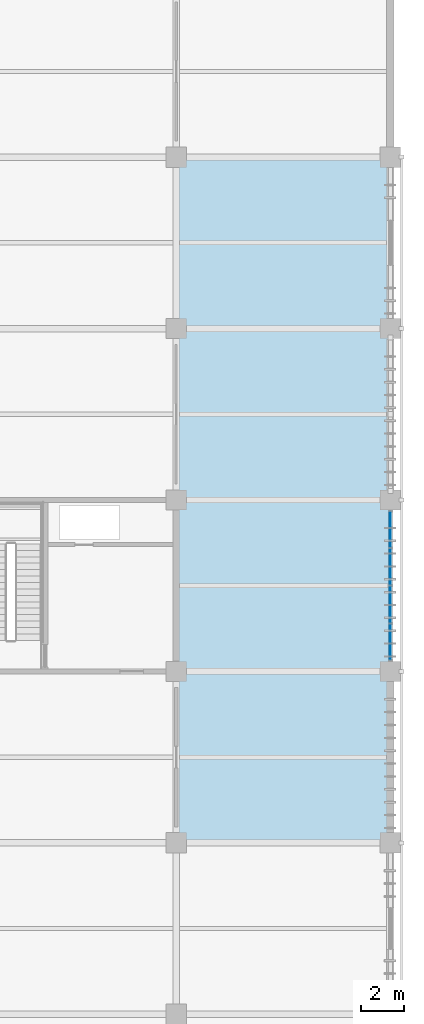
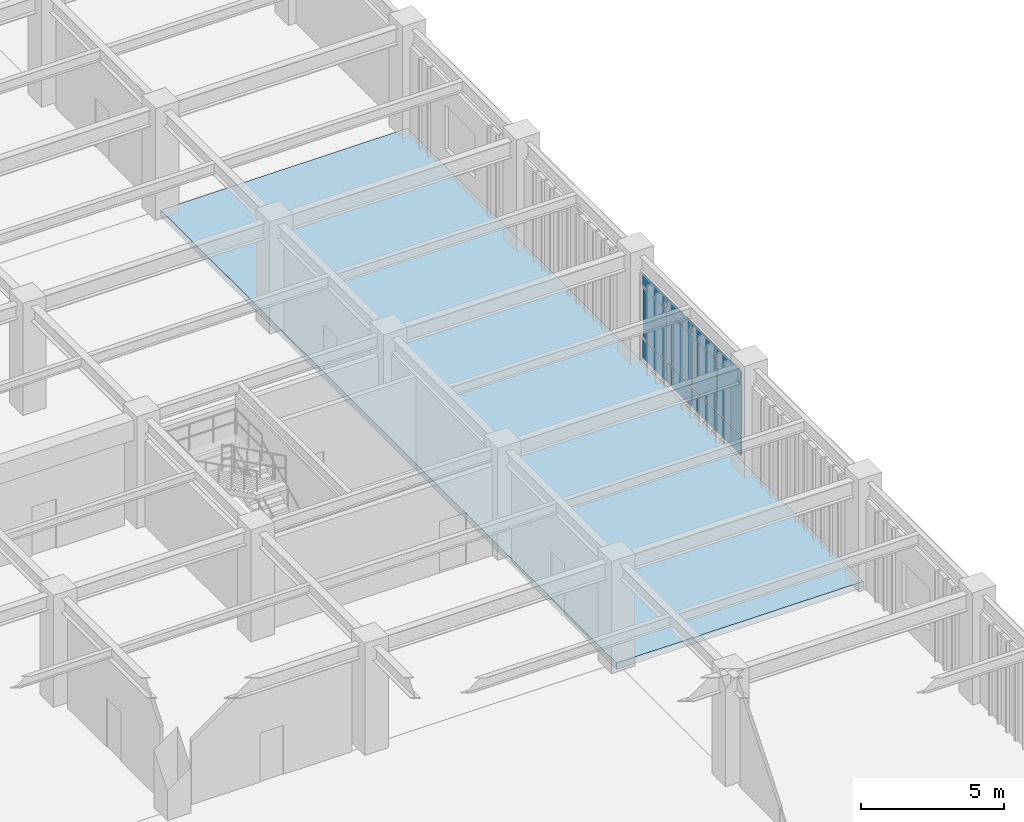
# One storey, part 62 of 109: 12 plates, 1 slab, 1 element without a shape of its own.
"""IFC4 building model written with IfcOpenShell, lengths in metres."""

from ifc_helpers import new_model, si_unit, direction, frame, origin, origin_2d, place, context, subcontext, project, spatial, polyline, rectangle, outline, extrude, material, layer, layer_set, type_object, element, aggregate, save


model = new_model("IFC4")

# Units and contexts
model_context = context("Model", 3, precision=1e-05, world=origin(), true_north=direction((0.0, 1.0)))
body_context = subcontext(model_context, "Body", "Model", "MODEL_VIEW")
ifc_project = project(units=[si_unit("LENGTHUNIT", "METRE"), si_unit("AREAUNIT", "SQUARE_METRE"), si_unit("VOLUMEUNIT", "CUBIC_METRE"), si_unit("PLANEANGLEUNIT", "RADIAN"), si_unit("MASSUNIT", "GRAM", prefix="KILO")], contexts=[model_context])

# Site, building, storey
site_placement = place(None, origin())
site = spatial("IfcSite", under=ifc_project, at=site_placement, CompositionType="ELEMENT")
building_placement = place(site_placement, origin())
building = spatial("IfcBuilding", under=site, at=building_placement, Name="Haebicheon Civic Stadium", CompositionType="ELEMENT")
storey_placement = place(building_placement, frame((0.0, 0.0, 9.60009765625)))
storey = spatial("IfcBuildingStorey", under=building, at=storey_placement, Name="L03", CompositionType="ELEMENT", Elevation=9.60009765625)

# Curtain wall, plates
ifc_material_1 = material(Name="Anodised aluminium and laminated glass", Category="aluminium")
ifc_layer_1 = layer(ifc_material_1, 0.179931640625, Name="Anodised aluminium and laminated glass")
ifc_layer_set_1 = layer_set([ifc_layer_1], Name="Anodised aluminium and laminated glass")
curtain_wall_type = type_object("IfcCurtainWallType", Name="CW-7050x3670", PredefinedType="NOTDEFINED", material=ifc_layer_set_1)
curtain_wall_placement = place(storey_placement, origin())
curtain_wall = element("IfcCurtainWall", 1, at=curtain_wall_placement, inside=storey, type_object=curtain_wall_type, material=ifc_layer_set_1, Name="L03 unitised curtain wall 103", PredefinedType="NOTDEFINED")
ifc_material_2 = material(Name="Double low-e laminated glass", Category="glass")
ifc_layer_2 = layer(ifc_material_2, 0.028076171875, Name="Double low-e laminated glass")
ifc_layer_set_2 = layer_set([ifc_layer_2], Name="Double low-e laminated glass")
plate_type_1 = type_object("IfcPlateType", Name="CWP-GLZ-28", PredefinedType="CURTAIN_PANEL", material=ifc_layer_set_2)
plate_1_placement = place(storey_placement, frame((236.0, 105.3740234375, 1.094970703125), z_axis=(0.0, 0.0, 1.0), x_axis=(0.0, 1.0, 0.0)))
plate_1 = element("IfcPlate", 2, at=plate_1_placement, type_object=plate_type_1, material=ifc_layer_set_2, Name="CW-L03-103 vision panel 1.2", PredefinedType="CURTAIN_PANEL", context=body_context, shape_type="SweptSolid", body=[
    extrude(rectangle(XDim=1.656982421875, YDim=0.028076171875, at=origin_2d()), origin(), (0.0, 0.0, 1.0), 2.14990234375),
])
plate_2_placement = place(storey_placement, frame((236.0, 107.117919921875, 1.094970703125), z_axis=(0.0, 0.0, 1.0), x_axis=(0.0, 1.0, 0.0)))
plate_2 = element("IfcPlate", 3, at=plate_2_placement, type_object=plate_type_1, material=ifc_layer_set_2, Name="CW-L03-103 vision panel 2.2", PredefinedType="CURTAIN_PANEL", context=body_context, shape_type="SweptSolid", body=[
    extrude(rectangle(XDim=1.693115234375, YDim=0.028076171875, at=origin_2d()), origin(), (0.0, 0.0, 1.0), 2.14990234375),
])
plate_3_placement = place(storey_placement, frame((236.0, 108.882080078125, 1.094970703125), z_axis=(0.0, 0.0, 1.0), x_axis=(0.0, 1.0, 0.0)))
plate_3 = element("IfcPlate", 4, at=plate_3_placement, type_object=plate_type_1, material=ifc_layer_set_2, Name="CW-L03-103 vision panel 3.2", PredefinedType="CURTAIN_PANEL", context=body_context, shape_type="SweptSolid", body=[
    extrude(rectangle(XDim=1.693115234375, YDim=0.028076171875, at=origin_2d()), origin(), (0.0, 0.0, 1.0), 2.14990234375),
])
plate_4_placement = place(storey_placement, frame((236.0, 110.6259765625, 1.094970703125), z_axis=(0.0, 0.0, 1.0), x_axis=(0.0, 1.0, 0.0)))
plate_4 = element("IfcPlate", 5, at=plate_4_placement, type_object=plate_type_1, material=ifc_layer_set_2, Name="CW-L03-103 vision panel 4.2", PredefinedType="CURTAIN_PANEL", context=body_context, shape_type="SweptSolid", body=[
    extrude(rectangle(XDim=1.656982421875, YDim=0.028076171875, at=origin_2d()), origin(), (0.0, 0.0, 1.0), 2.14990234375),
])
ifc_material_3 = material(Name="Anodised aluminium 6063-T6", Category="aluminium")
ifc_layer_3 = layer(ifc_material_3, 0.0439453125, Name="Anodised aluminium 6063-T6")
ifc_layer_set_3 = layer_set([ifc_layer_3], Name="Anodised aluminium 6063-T6")
plate_type_2 = type_object("IfcPlateType", Name="CWP-SPD-44", PredefinedType="CURTAIN_PANEL", material=ifc_layer_set_3)
plate_5_placement = place(storey_placement, frame((236.0, 105.3740234375, 0.19482421875), z_axis=(0.0, 0.0, 1.0), x_axis=(0.0, 1.0, 0.0)))
plate_5 = element("IfcPlate", 6, at=plate_5_placement, type_object=plate_type_2, material=ifc_layer_set_3, Name="CW-L03-103 spandrel panel 1.1", PredefinedType="CURTAIN_PANEL", context=body_context, shape_type="SweptSolid", body=[
    extrude(rectangle(XDim=1.656982421875, YDim=0.0439453125, at=origin_2d()), origin(), (0.0, 0.0, 1.0), 0.830078125),
])
plate_6_placement = place(storey_placement, frame((236.0, 105.3740234375, 3.31494140625), z_axis=(0.0, 0.0, 1.0), x_axis=(0.0, 1.0, 0.0)))
plate_6 = element("IfcPlate", 7, at=plate_6_placement, type_object=plate_type_2, material=ifc_layer_set_3, Name="CW-L03-103 spandrel panel 1.3", PredefinedType="CURTAIN_PANEL", context=body_context, shape_type="SweptSolid", body=[
    extrude(rectangle(XDim=1.656982421875, YDim=0.0439453125, at=origin_2d()), origin(), (0.0, 0.0, 1.0), 0.47998046875),
])
plate_7_placement = place(storey_placement, frame((236.0, 107.117919921875, 0.19482421875), z_axis=(0.0, 0.0, 1.0), x_axis=(0.0, 1.0, 0.0)))
plate_7 = element("IfcPlate", 8, at=plate_7_placement, type_object=plate_type_2, material=ifc_layer_set_3, Name="CW-L03-103 spandrel panel 2.1", PredefinedType="CURTAIN_PANEL", context=body_context, shape_type="SweptSolid", body=[
    extrude(rectangle(XDim=1.693115234375, YDim=0.0439453125, at=origin_2d()), origin(), (0.0, 0.0, 1.0), 0.830078125),
])
plate_8_placement = place(storey_placement, frame((236.0, 107.117919921875, 3.31494140625), z_axis=(0.0, 0.0, 1.0), x_axis=(0.0, 1.0, 0.0)))
plate_8 = element("IfcPlate", 9, at=plate_8_placement, type_object=plate_type_2, material=ifc_layer_set_3, Name="CW-L03-103 spandrel panel 2.3", PredefinedType="CURTAIN_PANEL", context=body_context, shape_type="SweptSolid", body=[
    extrude(rectangle(XDim=1.693115234375, YDim=0.0439453125, at=origin_2d()), origin(), (0.0, 0.0, 1.0), 0.47998046875),
])
plate_9_placement = place(storey_placement, frame((236.0, 108.882080078125, 0.19482421875), z_axis=(0.0, 0.0, 1.0), x_axis=(0.0, 1.0, 0.0)))
plate_9 = element("IfcPlate", 10, at=plate_9_placement, type_object=plate_type_2, material=ifc_layer_set_3, Name="CW-L03-103 spandrel panel 3.1", PredefinedType="CURTAIN_PANEL", context=body_context, shape_type="SweptSolid", body=[
    extrude(rectangle(XDim=1.693115234375, YDim=0.0439453125, at=origin_2d()), origin(), (0.0, 0.0, 1.0), 0.830078125),
])
plate_10_placement = place(storey_placement, frame((236.0, 108.882080078125, 3.31494140625), z_axis=(0.0, 0.0, 1.0), x_axis=(0.0, 1.0, 0.0)))
plate_10 = element("IfcPlate", 11, at=plate_10_placement, type_object=plate_type_2, material=ifc_layer_set_3, Name="CW-L03-103 spandrel panel 3.3", PredefinedType="CURTAIN_PANEL", context=body_context, shape_type="SweptSolid", body=[
    extrude(rectangle(XDim=1.693115234375, YDim=0.0439453125, at=origin_2d()), origin(), (0.0, 0.0, 1.0), 0.47998046875),
])
plate_11_placement = place(storey_placement, frame((236.0, 110.6259765625, 0.19482421875), z_axis=(0.0, 0.0, 1.0), x_axis=(0.0, 1.0, 0.0)))
plate_11 = element("IfcPlate", 12, at=plate_11_placement, type_object=plate_type_2, material=ifc_layer_set_3, Name="CW-L03-103 spandrel panel 4.1", PredefinedType="CURTAIN_PANEL", context=body_context, shape_type="SweptSolid", body=[
    extrude(rectangle(XDim=1.656982421875, YDim=0.0439453125, at=origin_2d()), origin(), (0.0, 0.0, 1.0), 0.830078125),
])
plate_12_placement = place(storey_placement, frame((236.0, 110.6259765625, 3.31494140625), z_axis=(0.0, 0.0, 1.0), x_axis=(0.0, 1.0, 0.0)))
plate_12 = element("IfcPlate", 13, at=plate_12_placement, type_object=plate_type_2, material=ifc_layer_set_3, Name="CW-L03-103 spandrel panel 4.3", PredefinedType="CURTAIN_PANEL", context=body_context, shape_type="SweptSolid", body=[
    extrude(rectangle(XDim=1.656982421875, YDim=0.0439453125, at=origin_2d()), origin(), (0.0, 0.0, 1.0), 0.47998046875),
])
aggregate(curtain_wall, [plate_5, plate_1, plate_6, plate_7, plate_2, plate_8, plate_9, plate_3, plate_10, plate_11, plate_4, plate_12])

# Slab
ifc_material_4 = material(Name="Concrete C40/50", Category="concrete")
ifc_layer_4 = layer(ifc_material_4, 0.280029296875, Name="Concrete C40/50")
ifc_layer_set_4 = layer_set([ifc_layer_4], Name="Concrete C40/50")
slab_type = type_object("IfcSlabType", Name="SLB-FLR-280", PredefinedType="FLOOR", material=ifc_layer_set_4)
slab_placement = place(storey_placement, frame((0.0, 0.0, -0.280029296875)))
element("IfcSlab", 14, at=slab_placement, inside=storey, type_object=slab_type, material=ifc_layer_set_4, Name="L03 V3 structural slab 7.1", PredefinedType="FLOOR", context=body_context, shape_type="SweptSolid", body=[
    extrude(outline(polyline([(226.0, 96.0), (226.0, 104.0), (226.0, 112.0), (226.0, 120.0), (226.0, 128.0), (236.0, 128.0), (236.0, 120.0), (236.0, 112.0), (236.0, 104.0), (236.0, 96.0), (226.0, 96.0)])), origin(), (0.0, 0.0, 1.0), 0.280029296875),
])

save(model, "model.ifc")
